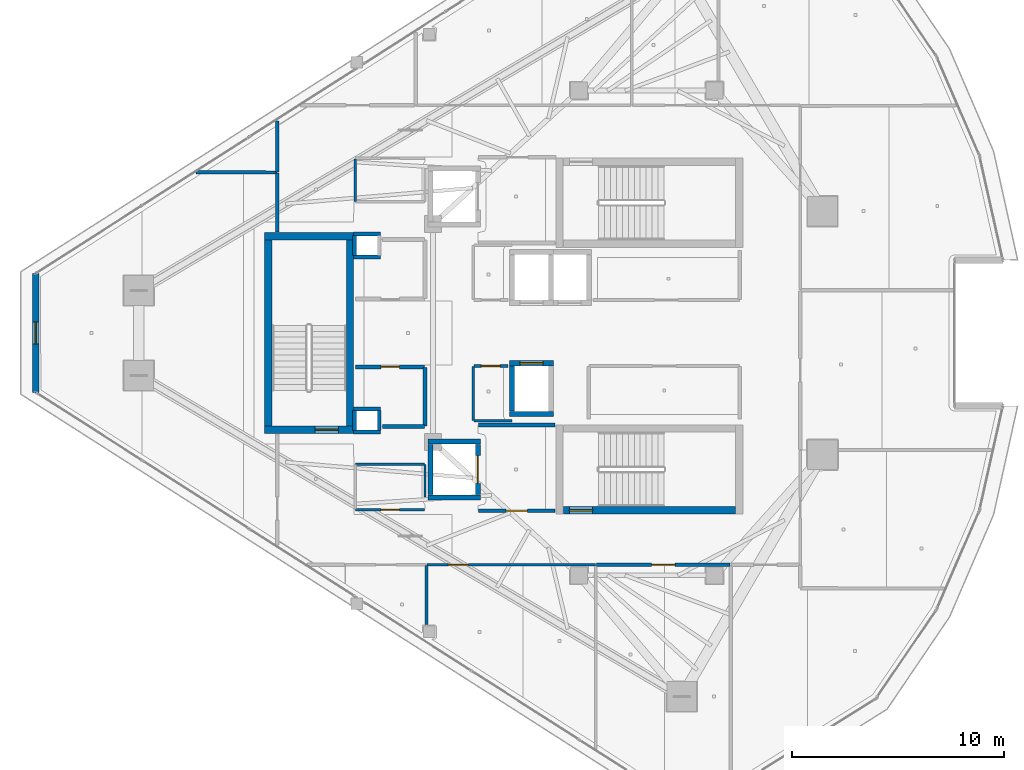
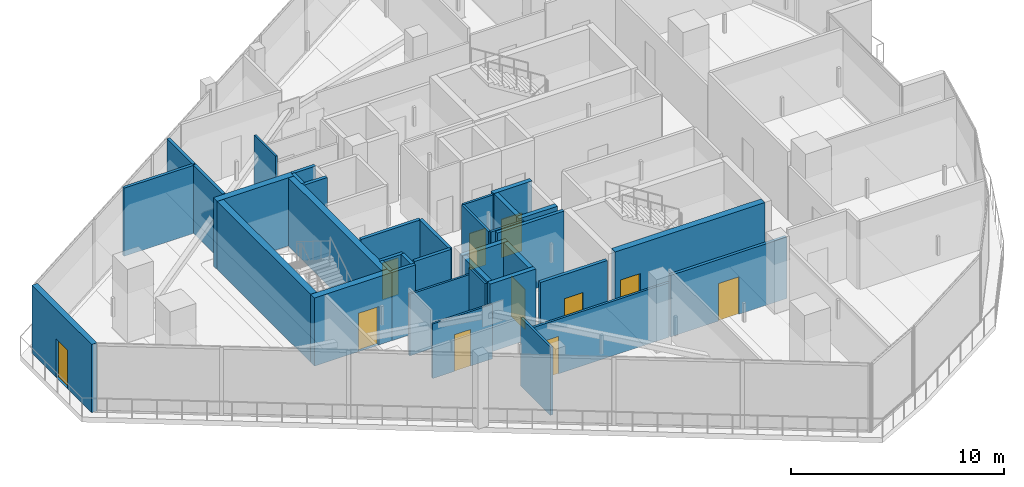
# One storey, part 21 of 30: 38 walls, 11 doors, 11 openings.
"""IFC4 building model written with IfcOpenShell, lengths in metres."""

from ifc_helpers import new_model, si_unit, direction, frame, frame_2d, origin, place, context, subcontext, project, spatial, rectangle, extrude, material, layer, layer_set, type_object, element, fill, save


model = new_model("IFC4")

# Units and contexts
model_context = context("Model", 3, precision=1e-05, world=origin(), true_north=direction((0.0, 1.0)))
body_context = subcontext(model_context, "Body", "Model", "MODEL_VIEW")
ifc_project = project(units=[si_unit("LENGTHUNIT", "METRE"), si_unit("AREAUNIT", "SQUARE_METRE"), si_unit("VOLUMEUNIT", "CUBIC_METRE"), si_unit("PLANEANGLEUNIT", "RADIAN"), si_unit("MASSUNIT", "GRAM", prefix="KILO")], contexts=[model_context])

# Site, building, storey
site_placement = place(None, origin())
site = spatial("IfcSite", under=ifc_project, at=site_placement, CompositionType="ELEMENT")
building_placement = place(site_placement, origin())
building = spatial("IfcBuilding", under=site, at=building_placement, Name="Qorvath Tower", CompositionType="ELEMENT")
storey_placement = place(building_placement, frame((0.0, 0.0, 301.800048828125)))
storey = spatial("IfcBuildingStorey", under=building, at=storey_placement, Name="L70", CompositionType="ELEMENT", Elevation=301.800048828125)

# Walls
ifc_material_1 = material(Name="Gypsum shaftliner on steel studs", Category="steel")
ifc_layer_1 = layer(ifc_material_1, 0.179931640625)
ifc_layer_set_1 = layer_set([ifc_layer_1], Name="FW-LOBBY")
wall_type_1 = type_object("IfcWallType", Name="FW-LOBBY", PredefinedType="PARTITIONING", material=ifc_layer_set_1)
for number, where, z_axis, x_axis, name in (
    (1, (-32.989990234375, 3.594970703125, 0.0), (0.0, 0.0, 1.0), (-1.0, 0.0, 0.0), "MEP Riser Shaft Enclosure Wall N-L70-S"),
    (2, (-34.260009765625, 4.675048828125, 0.0), (0.0, 0.0, 1.0), (1.0, 0.0, 0.0), "MEP Riser Shaft Enclosure Wall N-L70-N"),
):
    element("IfcWall", number, at=place(storey_placement, frame(where, z_axis=z_axis, x_axis=x_axis)), inside=storey, type_object=wall_type_1, Name=name, PredefinedType="PARTITIONING", context=body_context, shape_type="SweptSolid", body=[
        extrude(rectangle(XDim=1.27001953125, YDim=0.179931640625, at=frame_2d((0.635009765625, 0.0))), origin(), (0.0, 0.0, 1.0), 3.909912109375),
    ])
wall_1_placement = place(storey_placement, frame((-34.205078125, 3.659912109375, 0.0), z_axis=(0.0, 0.0, 1.0), x_axis=(0.0, 1.0, 0.0)))
element("IfcWall", 3, at=wall_1_placement, inside=storey, type_object=wall_type_1, Name="MEP Riser Shaft Enclosure Wall N-L70-W", PredefinedType="PARTITIONING", context=body_context, shape_type="SweptSolid", body=[
    extrude(rectangle(XDim=0.9501953125, YDim=0.179931640625, at=frame_2d((0.47509765625, 0.0))), origin(), (0.0, 0.0, 1.0), 3.909912109375),
])
for number, where, z_axis, x_axis, name in (
    (4, (-32.989990234375, -4.675048828125, 0.0), (0.0, 0.0, 1.0), (-1.0, 0.0, 0.0), "MEP Riser Shaft Enclosure Wall S-L70-S"),
    (5, (-34.260009765625, -3.594970703125, 0.0), (0.0, 0.0, 1.0), (1.0, 0.0, 0.0), "MEP Riser Shaft Enclosure Wall S-L70-N"),
):
    element("IfcWall", number, at=place(storey_placement, frame(where, z_axis=z_axis, x_axis=x_axis)), inside=storey, type_object=wall_type_1, Name=name, PredefinedType="PARTITIONING", context=body_context, shape_type="SweptSolid", body=[
        extrude(rectangle(XDim=1.27001953125, YDim=0.179931640625, at=frame_2d((0.635009765625, 0.0))), origin(), (0.0, 0.0, 1.0), 3.909912109375),
    ])
for number, where, z_axis, x_axis, name in (
    (6, (-34.205078125, -4.610107421875, 0.0), (0.0, 0.0, 1.0), (0.0, 1.0, 0.0), "MEP Riser Shaft Enclosure Wall S-L70-W"),
    (7, (-33.044921875, -3.659912109375, 0.0), (0.0, 0.0, 1.0), (0.0, -1.0, 0.0), "MEP Riser Shaft Enclosure Wall S-L70-E"),
):
    element("IfcWall", number, at=place(storey_placement, frame(where, z_axis=z_axis, x_axis=x_axis)), inside=storey, type_object=wall_type_1, Name=name, PredefinedType="PARTITIONING", context=body_context, shape_type="SweptSolid", body=[
        extrude(rectangle(XDim=0.9501953125, YDim=0.179931640625, at=frame_2d((0.47509765625, 0.0))), origin(), (0.0, 0.0, 1.0), 3.909912109375),
    ])

# Wall, opening, door
wall_2_placement = place(storey_placement, frame((-28.35498046875, -8.39990234375, 0.0), z_axis=(0.0, 0.0, 1.0), x_axis=(1.0, 0.0, 0.0)))
wall_2 = element("IfcWall", 8, at=wall_2_placement, inside=storey, type_object=wall_type_1, Name="Interior Partition IW-T1-L70-003", PredefinedType="PARTITIONING", context=body_context, shape_type="SweptSolid", body=[
    extrude(rectangle(XDim=3.6220703125, YDim=0.179931640625, at=frame_2d((1.81103515625, 0.0))), origin(), (0.0, 0.0, 1.0), 3.52880859375),
])
opening_1_placement = place(wall_2_placement, frame((1.31103515625, 0.0, 0.0)))
opening_1 = element("IfcOpeningElement", 9, at=opening_1_placement, cuts=wall_2, Name="Opening D-T1-L70-20", PredefinedType="OPENING", context=body_context, shape_type="SweptSolid", body=[
    extrude(rectangle(XDim=1.0, YDim=2.14990234375, at=frame_2d((0.5, 1.074951171875))), frame((0.0, 0.10009765625, 0.0), z_axis=(0.0, -1.0, 0.0), x_axis=(1.0, 0.0, 0.0)), (0.0, 0.0, 1.0), 0.199951171875),
])
ifc_material_2 = material(Name="Painted galvanised hollow metal", Category="steel")
door_type_1 = type_object("IfcDoorType", Name="FD-60", OperationType="NOTDEFINED", PredefinedType="DOOR", material=ifc_material_2)
door_1_placement = place(opening_1_placement, origin())
door_1 = element("IfcDoor", 10, at=door_1_placement, inside=storey, type_object=door_type_1, Name="Lobby Fire Service Elevator South Door D-T1-L70-20", OperationType="SINGLE_SWING_LEFT", OverallHeight=2.14990234375, OverallWidth=1.0, PredefinedType="DOOR", context=body_context, shape_type="SweptSolid", body=[
    extrude(rectangle(XDim=1.0, YDim=2.14990234375, at=frame_2d((0.5, 1.074951171875))), frame((0.0, 0.02490234375, 0.0), z_axis=(0.0, -1.0, 0.0), x_axis=(1.0, 0.0, 0.0)), (0.0, 0.0, 1.0), 0.050048828125),
])
fill(opening_1, door_1)

# Walls
wall_3_placement = place(storey_placement, frame((-24.73291015625, -4.35009765625, 0.0), z_axis=(0.0, 0.0, 1.0), x_axis=(-1.0, 0.0, 0.0)))
element("IfcWall", 11, at=wall_3_placement, inside=storey, type_object=wall_type_1, Name="Interior Partition IW-T1-L70-004", PredefinedType="PARTITIONING", context=body_context, shape_type="SweptSolid", body=[
    extrude(rectangle(XDim=3.6220703125, YDim=0.179931640625, at=frame_2d((1.81103515625, 0.0))), origin(), (0.0, 0.0, 1.0), 3.909912109375),
])
wall_4_placement = place(storey_placement, frame((-32.8798828125, -4.419921875, 0.0), z_axis=(0.0, 0.0, 1.0), x_axis=(1.0, 0.0, 0.0)))
element("IfcWall", 12, at=wall_4_placement, inside=storey, type_object=wall_type_1, Name="Interior Partition IW-T1-L70-027", PredefinedType="PARTITIONING", context=body_context, shape_type="SweptSolid", body=[
    extrude(rectangle(XDim=1.97509765625, YDim=0.179931640625, at=frame_2d((0.987548828125, 0.0))), origin(), (0.0, 0.0, 1.0), 3.909912109375),
])
wall_5_placement = place(storey_placement, frame((-30.8798828125, -4.39501953125, 0.0), z_axis=(0.0, 0.0, 1.0), x_axis=(0.0, 1.0, 0.0)))
element("IfcWall", 13, at=wall_5_placement, inside=storey, type_object=wall_type_1, Name="Interior Partition IW-T1-L70-028", PredefinedType="PARTITIONING", context=body_context, shape_type="SweptSolid", body=[
    extrude(rectangle(XDim=2.77001953125, YDim=0.179931640625, at=frame_2d((1.385009765625, 0.0))), origin(), (0.0, 0.0, 1.0), 3.909912109375),
])

# Wall, opening, door
wall_6_placement = place(storey_placement, frame((-30.90478515625, -1.60009765625, 0.0), z_axis=(0.0, 0.0, 1.0), x_axis=(-1.0, 0.0, 0.0)))
wall_6 = element("IfcWall", 14, at=wall_6_placement, inside=storey, type_object=wall_type_1, Name="Interior Partition IW-T1-L70-029", PredefinedType="PARTITIONING", context=body_context, shape_type="SweptSolid", body=[
    extrude(rectangle(XDim=3.25, YDim=0.179931640625, at=frame_2d((1.625, 0.0))), origin(), (0.0, 0.0, 1.0), 3.909912109375),
])
opening_2_placement = place(wall_6_placement, frame((1.18505859375, 0.0, 0.0)))
opening_2 = element("IfcOpeningElement", 15, at=opening_2_placement, cuts=wall_6, Name="Opening D-T1-L70-06", PredefinedType="OPENING", context=body_context, shape_type="SweptSolid", body=[
    extrude(rectangle(XDim=0.8798828125, YDim=2.10009765625, at=frame_2d((0.43994140625, 1.050048828125))), frame((0.0, 0.10009765625, 0.0), z_axis=(0.0, -1.0, 0.0), x_axis=(1.0, 0.0, 0.0)), (0.0, 0.0, 1.0), 0.199951171875),
])
ifc_material_3 = material(Name="Painted galvanised hollow metal", Category="steel")
door_type_2 = type_object("IfcDoorType", Name="FD-60N", OperationType="NOTDEFINED", PredefinedType="DOOR", material=ifc_material_3)
door_2_placement = place(opening_2_placement, origin())
door_2 = element("IfcDoor", 16, at=door_2_placement, inside=storey, type_object=door_type_2, Name="Core electrical closet L70 Door D-T1-L70-06", OperationType="SINGLE_SWING_LEFT", OverallHeight=2.10009765625, OverallWidth=0.8798828125, PredefinedType="DOOR", context=body_context, shape_type="SweptSolid", body=[
    extrude(rectangle(XDim=0.8798828125, YDim=2.10009765625, at=frame_2d((0.43994140625, 1.050048828125))), frame((0.0, 0.02490234375, 0.0), z_axis=(0.0, -1.0, 0.0), x_axis=(1.0, 0.0, 0.0)), (0.0, 0.0, 1.0), 0.050048828125),
])
fill(opening_2, door_2)

# Walls
ifc_material_4 = material(Name="Double acoustic gypsum board on steel studs", Category="steel")
ifc_layer_2 = layer(ifc_material_4, 0.159912109375)
ifc_layer_set_2 = layer_set([ifc_layer_2], Name="IW-ACOUSTIC-160")
wall_type_2 = type_object("IfcWallType", Name="IW-ACOUSTIC-160", PredefinedType="PARTITIONING", material=ifc_layer_set_2)
wall_7_placement = place(storey_placement, frame((-37.85791015625, 10.02734375, 0.0), z_axis=(0.0, 0.0, 1.0), x_axis=(0.0, -1.0, 0.0)))
element("IfcWall", 17, at=wall_7_placement, inside=storey, type_object=wall_type_2, Name="Interior Partition IW-T1-L70-030", PredefinedType="PARTITIONING", context=body_context, shape_type="SweptSolid", body=[
    extrude(rectangle(XDim=2.417236328125, YDim=0.159912109375, at=frame_2d((1.20849609375, 0.0))), origin(), (0.0, 0.0, 1.0), 3.909912109375),
])
wall_8_placement = place(storey_placement, frame((-41.7080078125, 7.59521484375, 0.0), z_axis=(0.0, 0.0, 1.0), x_axis=(0.9999965762, -0.002616789611, 0.0)))
element("IfcWall", 18, at=wall_8_placement, inside=storey, type_object=wall_type_2, Name="Interior Partition IW-T1-L70-033", PredefinedType="PARTITIONING", context=body_context, shape_type="SweptSolid", body=[
    extrude(rectangle(XDim=3.8251953125, YDim=0.159912109375, at=frame_2d((1.91259765625, 0.0))), origin(), (0.0, 0.0, 1.0), 3.909912109375),
])

# Wall, opening, door
wall_9_placement = place(storey_placement, frame((-16.458740234375, -10.9580078125, 0.0), z_axis=(0.0, 0.0, 1.0), x_axis=(-1.0, 0.0, 0.0)))
wall_9 = element("IfcWall", 19, at=wall_9_placement, inside=storey, type_object=wall_type_2, Name="Interior Partition IW-T1-L70-044", PredefinedType="PARTITIONING", context=body_context, shape_type="SweptSolid", body=[
    extrude(rectangle(XDim=6.31494140625, YDim=0.159912109375, at=frame_2d((3.157470703125, 0.0))), origin(), (0.0, 0.0, 1.0), 3.52880859375),
])
opening_3_placement = place(wall_9_placement, frame((2.607421875, 0.0, 0.0)))
opening_3 = element("IfcOpeningElement", 20, at=opening_3_placement, cuts=wall_9, Name="Opening D-T1-L70-13", PredefinedType="OPENING", context=body_context, shape_type="SweptSolid", body=[
    extrude(rectangle(XDim=1.10009765625, YDim=2.14990234375, at=frame_2d((0.550048828125, 1.074951171875))), frame((0.0, 0.08984375, 0.0), z_axis=(0.0, -1.0, 0.0), x_axis=(1.0, 0.0, 0.0)), (0.0, 0.0, 1.0), 0.179931640625),
])
ifc_material_5 = material(Name="Anodised aluminium acoustic framed glass", Category="aluminium")
door_type_3 = type_object("IfcDoorType", Name="D-03", OperationType="NOTDEFINED", PredefinedType="DOOR", material=ifc_material_5)
door_3_placement = place(opening_3_placement, origin())
door_3 = element("IfcDoor", 21, at=door_3_placement, inside=storey, type_object=door_type_3, Name="L70-07 Digital Visualization Suite Door D-T1-L70-13", OperationType="SINGLE_SWING_RIGHT", OverallHeight=2.14990234375, OverallWidth=1.10009765625, PredefinedType="DOOR", context=body_context, shape_type="SweptSolid", body=[
    extrude(rectangle(XDim=1.10009765625, YDim=2.14990234375, at=frame_2d((0.550048828125, 1.074951171875))), frame((0.0, 0.02490234375, 0.0), z_axis=(0.0, -1.0, 0.0), x_axis=(1.0, 0.0, 0.0)), (0.0, 0.0, 1.0), 0.050048828125),
])
fill(opening_3, door_3)

# Walls
wall_10_placement = place(storey_placement, frame((-37.85791015625, 4.783203125, 0.0), z_axis=(0.0, 0.0, 1.0), x_axis=(0.0, 1.0, 0.0)))
element("IfcWall", 22, at=wall_10_placement, inside=storey, type_object=wall_type_2, Name="Interior Partition IW-T1-L70-056", PredefinedType="PARTITIONING", context=body_context, shape_type="SweptSolid", body=[
    extrude(rectangle(XDim=2.768798828125, YDim=0.159912109375, at=frame_2d((1.38427734375, 0.0))), origin(), (0.0, 0.0, 1.0), 3.909912109375),
])
ifc_material_6 = material(Name="Gypsum board on metal studs with mineral wool", Category="gypsum")
ifc_layer_3 = layer(ifc_material_6, 0.125)
ifc_layer_set_3 = layer_set([ifc_layer_3], Name="IW-PART-125")
wall_type_3 = type_object("IfcWallType", Name="IW-PART-125", PredefinedType="PARTITIONING", material=ifc_layer_set_3)
wall_11_placement = place(storey_placement, frame((-28.60009765625, -1.585205078125, 0.0), z_axis=(0.0, 0.0, 1.0), x_axis=(0.0, -1.0, 0.0)))
element("IfcWall", 23, at=wall_11_placement, inside=storey, type_object=wall_type_3, Name="Interior Partition IW-T1-L70-021", PredefinedType="PARTITIONING", context=body_context, shape_type="SweptSolid", body=[
    extrude(rectangle(XDim=2.539794921875, YDim=0.125, at=frame_2d((1.27001953125, 0.0))), origin(), (0.0, 0.0, 1.0), 3.909912109375),
])
wall_12_placement = place(storey_placement, frame((-28.5751953125, -4.14990234375, 0.0), z_axis=(0.0, 0.0, 1.0), x_axis=(1.0, 0.0, 0.0)))
element("IfcWall", 24, at=wall_12_placement, inside=storey, type_object=wall_type_3, Name="Interior Partition IW-T1-L70-022", PredefinedType="PARTITIONING", context=body_context, shape_type="SweptSolid", body=[
    extrude(rectangle(XDim=1.80029296875, YDim=0.125, at=frame_2d((0.900146484375, 0.0))), origin(), (0.0, 0.0, 1.0), 3.909912109375),
])

# Wall, opening, door
wall_13_placement = place(storey_placement, frame((-26.966064453125, -1.56005859375, 0.0), z_axis=(0.0, 0.0, 1.0), x_axis=(-1.0, 0.0, 0.0)))
wall_13 = element("IfcWall", 25, at=wall_13_placement, inside=storey, type_object=wall_type_3, Name="Interior Partition IW-T1-L70-023", PredefinedType="PARTITIONING", context=body_context, shape_type="SweptSolid", body=[
    extrude(rectangle(XDim=1.609130859375, YDim=0.125, at=frame_2d((0.8046875, 0.0))), origin(), (0.0, 0.0, 1.0), 3.909912109375),
])
opening_4_placement = place(wall_13_placement, frame((0.364501953125, 0.0, 0.0)))
opening_4 = element("IfcOpeningElement", 26, at=opening_4_placement, cuts=wall_13, Name="Opening D-T1-L70-04", PredefinedType="OPENING", context=body_context, shape_type="SweptSolid", body=[
    extrude(rectangle(XDim=0.8798828125, YDim=2.10009765625, at=frame_2d((0.43994140625, 1.050048828125))), frame((0.0, 0.072509765625, 0.0), z_axis=(0.0, -1.0, 0.0), x_axis=(1.0, 0.0, 0.0)), (0.0, 0.0, 1.0), 0.14501953125),
])
ifc_material_7 = material(Name="Solid-core oak with acoustic drop seal", Category="wood")
door_type_4 = type_object("IfcDoorType", Name="D-02", OperationType="NOTDEFINED", PredefinedType="DOOR", material=ifc_material_7)
door_4_placement = place(opening_4_placement, origin())
door_4 = element("IfcDoor", 27, at=door_4_placement, inside=storey, type_object=door_type_4, Name="L70-RCWS Executive Archive Suite Door D-T1-L70-04", OperationType="SINGLE_SWING_LEFT", OverallHeight=2.10009765625, OverallWidth=0.8798828125, PredefinedType="DOOR", context=body_context, shape_type="SweptSolid", body=[
    extrude(rectangle(XDim=0.8798828125, YDim=2.10009765625, at=frame_2d((0.43994140625, 1.050048828125))), frame((0.0, 0.02490234375, 0.0), z_axis=(0.0, -1.0, 0.0), x_axis=(1.0, 0.0, 0.0)), (0.0, 0.0, 1.0), 0.050048828125),
])
fill(opening_4, door_4)

# Wall
wall_14_placement = place(storey_placement, frame((-30.80908203125, -13.7841796875, 0.0), z_axis=(0.0, 0.0, 1.0), x_axis=(0.0, 1.0, 0.0)))
element("IfcWall", 28, at=wall_14_placement, inside=storey, type_object=wall_type_3, Name="Interior Partition IW-T1-L70-040", PredefinedType="PARTITIONING", context=body_context, shape_type="SweptSolid", body=[
    extrude(rectangle(XDim=2.80126953125, YDim=0.125, at=frame_2d((1.400634765625, 0.0))), origin(), (0.0, 0.0, 1.0), 3.909912109375),
])

# Wall, opening, door
wall_15_placement = place(storey_placement, frame((-22.831787109375, -10.9580078125, 0.0), z_axis=(0.0, 0.0, 1.0), x_axis=(-1.0, 0.0, 0.0)))
wall_15 = element("IfcWall", 29, at=wall_15_placement, inside=storey, type_object=wall_type_3, Name="Interior Partition IW-T1-L70-042", PredefinedType="PARTITIONING", context=body_context, shape_type="SweptSolid", body=[
    extrude(rectangle(XDim=7.944091796875, YDim=0.125, at=frame_2d((3.97216796875, 0.0))), origin(), (0.0, 0.0, 1.0), 3.1298828125),
])
opening_5_placement = place(wall_15_placement, frame((5.994873046875, 0.0, 0.0)))
opening_5 = element("IfcOpeningElement", 30, at=opening_5_placement, cuts=wall_15, Name="Opening D-T1-L70-12", PredefinedType="OPENING", context=body_context, shape_type="SweptSolid", body=[
    extrude(rectangle(XDim=0.949951171875, YDim=2.14990234375, at=frame_2d((0.47509765625, 1.074951171875))), frame((0.0, 0.072509765625, 0.0), z_axis=(0.0, -1.0, 0.0), x_axis=(1.0, 0.0, 0.0)), (0.0, 0.0, 1.0), 0.14501953125),
])
ifc_material_8 = material(Name="Solid-core American white oak veneer", Category="wood")
door_type_5 = type_object("IfcDoorType", Name="D-01", OperationType="NOTDEFINED", PredefinedType="DOOR", material=ifc_material_8)
door_5_placement = place(opening_5_placement, origin())
door_5 = element("IfcDoor", 31, at=door_5_placement, inside=storey, type_object=door_type_5, Name="L70-06 Executive Partner Office Door D-T1-L70-12", OperationType="SINGLE_SWING_LEFT", OverallHeight=2.14990234375, OverallWidth=0.949951171875, PredefinedType="DOOR", context=body_context, shape_type="SweptSolid", body=[
    extrude(rectangle(XDim=0.949951171875, YDim=2.14990234375, at=frame_2d((0.47509765625, 1.074951171875))), frame((0.0, 0.02490234375, 0.0), z_axis=(0.0, -1.0, 0.0), x_axis=(1.0, 0.0, 0.0)), (0.0, 0.0, 1.0), 0.050048828125),
])
fill(opening_5, door_5)

# Wall
ifc_material_9 = material(Name="Moisture-resistant cement board on metal studs", Category="gypsum")
ifc_layer_4 = layer(ifc_material_9, 0.110107421875)
ifc_layer_set_4 = layer_set([ifc_layer_4], Name="IW-WC-110")
wall_type_4 = type_object("IfcWallType", Name="IW-WC-110", PredefinedType="PARTITIONING", material=ifc_layer_set_4)
wall_16_placement = place(storey_placement, frame((-34.179931640625, 8.22509765625, 0.0), z_axis=(0.0, 0.0, 1.0), x_axis=(0.0, -1.0, 0.0)))
element("IfcWall", 32, at=wall_16_placement, inside=storey, type_object=wall_type_4, Name="Interior Partition IW-T1-L70-005", PredefinedType="PARTITIONING", context=body_context, shape_type="SweptSolid", body=[
    extrude(rectangle(XDim=2.0, YDim=0.110107421875, at=frame_2d((1.0, 0.0))), origin(), (0.0, 0.0, 1.0), 3.909912109375),
])

# Wall, opening, door
wall_17_placement = place(storey_placement, frame((-34.15478515625, -8.35009765625, 0.0), z_axis=(0.0, 0.0, 1.0), x_axis=(1.0, 0.0, 0.0)))
wall_17 = element("IfcWall", 33, at=wall_17_placement, inside=storey, type_object=wall_type_4, Name="Interior Partition IW-T1-L70-010", PredefinedType="PARTITIONING", context=body_context, shape_type="SweptSolid", body=[
    extrude(rectangle(XDim=3.25, YDim=0.110107421875, at=frame_2d((1.625, 0.0))), origin(), (0.0, 0.0, 1.0), 3.1298828125),
])
opening_6_placement = place(wall_17_placement, frame((1.18505859375, 0.0, 0.0)))
opening_6 = element("IfcOpeningElement", 34, at=opening_6_placement, cuts=wall_17, Name="Opening D-T1-L70-22", PredefinedType="OPENING", context=body_context, shape_type="SweptSolid", body=[
    extrude(rectangle(XDim=0.8798828125, YDim=2.10009765625, at=frame_2d((0.43994140625, 1.050048828125))), frame((0.0, 0.06494140625, 0.0), z_axis=(0.0, -1.0, 0.0), x_axis=(1.0, 0.0, 0.0)), (0.0, 0.0, 1.0), 0.130126953125),
])
door_6_placement = place(opening_6_placement, origin())
door_6 = element("IfcDoor", 35, at=door_6_placement, inside=storey, type_object=door_type_4, Name="Accessible WC South L70 Door D-T1-L70-22", OperationType="SINGLE_SWING_LEFT", OverallHeight=2.10009765625, OverallWidth=0.8798828125, PredefinedType="DOOR", context=body_context, shape_type="SweptSolid", body=[
    extrude(rectangle(XDim=0.8798828125, YDim=2.10009765625, at=frame_2d((0.43994140625, 1.050048828125))), frame((0.0, 0.02490234375, 0.0), z_axis=(0.0, -1.0, 0.0), x_axis=(1.0, 0.0, 0.0)), (0.0, 0.0, 1.0), 0.050048828125),
])
fill(opening_6, door_6)

# Walls
wall_18_placement = place(storey_placement, frame((-30.8798828125, -7.742919921875, 0.0), z_axis=(0.0, 0.0, 1.0), x_axis=(0.0, 1.0, 0.0)))
element("IfcWall", 36, at=wall_18_placement, inside=storey, type_object=wall_type_4, Name="Interior Partition IW-T1-L70-011", PredefinedType="PARTITIONING", context=body_context, shape_type="SweptSolid", body=[
    extrude(rectangle(XDim=1.517822265625, YDim=0.110107421875, at=frame_2d((0.7587890625, 0.0))), origin(), (0.0, 0.0, 1.0), 3.909912109375),
])
wall_19_placement = place(storey_placement, frame((-30.90478515625, -6.199951171875, 0.0), z_axis=(0.0, 0.0, 1.0), x_axis=(-1.0, 0.0, 0.0)))
element("IfcWall", 37, at=wall_19_placement, inside=storey, type_object=wall_type_4, Name="Interior Partition IW-T1-L70-012", PredefinedType="PARTITIONING", context=body_context, shape_type="SweptSolid", body=[
    extrude(rectangle(XDim=3.25, YDim=0.110107421875, at=frame_2d((1.625, 0.0))), origin(), (0.0, 0.0, 1.0), 3.52880859375),
])
ifc_material_10 = material(Name="Concrete C60/75", Category="concrete")
ifc_layer_5 = layer(ifc_material_10, 0.260009765625)
ifc_layer_set_5 = layer_set([ifc_layer_5], Name="SW-SHAFT")
wall_type_5 = type_object("IfcWallType", Name="SW-SHAFT", PredefinedType="SHEAR", material=ifc_layer_set_5)
for number, where, z_axis, x_axis, name in (
    (38, (-28.260009765625, -7.77001953125, 0.0), (0.0, 0.0, 1.0), (-1.0, 0.0, 0.0), "Hoistway Wall FSAE-2 L70 S"),
    (39, (-30.739990234375, -5.1298828125, 0.0), (0.0, 0.0, 1.0), (1.0, 0.0, 0.0), "Hoistway Wall FSAE-2 L70 N"),
):
    element("IfcWall", number, at=place(storey_placement, frame(where, z_axis=z_axis, x_axis=x_axis)), inside=storey, type_object=wall_type_5, Name=name, PredefinedType="SHEAR", context=body_context, shape_type="SweptSolid", body=[
        extrude(rectangle(XDim=2.47998046875, YDim=0.239990234375, at=frame_2d((1.239990234375, 0.0))), origin(), (0.0, 0.0, 1.0), 3.909912109375),
    ])
wall_20_placement = place(storey_placement, frame((-30.6201171875, -7.637939453125, 0.0), z_axis=(0.0, 0.0, 1.0), x_axis=(0.0, 1.0, 0.0)))
element("IfcWall", 40, at=wall_20_placement, inside=storey, type_object=wall_type_5, Name="Hoistway Wall FSAE-2 L70 W", PredefinedType="SHEAR", context=body_context, shape_type="SweptSolid", body=[
    extrude(rectangle(XDim=2.3759765625, YDim=0.239990234375, at=frame_2d((1.18798828125, 0.0))), origin(), (0.0, 0.0, 1.0), 3.909912109375),
])

# Wall, opening, door
wall_21_placement = place(storey_placement, frame((-28.3798828125, -5.261962890625, 0.0), z_axis=(0.0, 0.0, 1.0), x_axis=(0.0, -1.0, 0.0)))
wall_21 = element("IfcWall", 41, at=wall_21_placement, inside=storey, type_object=wall_type_5, Name="Hoistway Wall FSAE-2 L70 E", PredefinedType="SHEAR", context=body_context, shape_type="SweptSolid", body=[
    extrude(rectangle(XDim=2.3759765625, YDim=0.239990234375, at=frame_2d((1.18798828125, 0.0))), origin(), (0.0, 0.0, 1.0), 3.909912109375),
])
opening_7_placement = place(wall_21_placement, frame((0.5380859375, 0.0, 0.0)))
opening_7 = element("IfcOpeningElement", 42, at=opening_7_placement, cuts=wall_21, Name="Opening LD-FSAE-2-L70", PredefinedType="OPENING", context=body_context, shape_type="SweptSolid", body=[
    extrude(rectangle(XDim=1.300048828125, YDim=2.300048828125, at=frame_2d((0.64990234375, 1.14990234375))), frame((0.0, 0.1298828125, 0.0), z_axis=(0.0, -1.0, 0.0), x_axis=(1.0, 0.0, 0.0)), (0.0, 0.0, 1.0), 0.260009765625),
])
ifc_material_11 = material(Name="Brushed stainless steel AISI 316", Category="steel")
door_type_6 = type_object("IfcDoorType", Name="LD-02", OperationType="NOTDEFINED", PredefinedType="DOOR", material=ifc_material_11)
door_7_placement = place(opening_7_placement, origin())
door_7 = element("IfcDoor", 43, at=door_7_placement, inside=storey, type_object=door_type_6, Name="Elevator Landing Sliding Door LD-FSAE-2-L70", OperationType="DOUBLE_DOOR_SLIDING", OverallHeight=2.300048828125, OverallWidth=1.300048828125, PredefinedType="DOOR", context=body_context, shape_type="SweptSolid", body=[
    extrude(rectangle(XDim=1.300048828125, YDim=2.300048828125, at=frame_2d((0.64990234375, 1.14990234375))), frame((0.0, 0.02490234375, 0.0), z_axis=(0.0, -1.0, 0.0), x_axis=(1.0, 0.0, 0.0)), (0.0, 0.0, 1.0), 0.050048828125),
])
fill(opening_7, door_7)

# Wall
wall_22_placement = place(storey_placement, frame((-24.81005859375, -3.820068359375, 0.0), z_axis=(0.0, 0.0, 1.0), x_axis=(-1.0, 0.0, 0.0)))
element("IfcWall", 44, at=wall_22_placement, inside=storey, type_object=wall_type_5, Name="Hoistway Wall PH-3 L70 S", PredefinedType="SHEAR", context=body_context, shape_type="SweptSolid", body=[
    extrude(rectangle(XDim=2.079833984375, YDim=0.239990234375, at=frame_2d((1.0400390625, 0.0))), origin(), (0.0, 0.0, 1.0), 3.909912109375),
])

# Wall, opening, door
wall_23_placement = place(storey_placement, frame((-26.889892578125, -1.429931640625, 0.0), z_axis=(0.0, 0.0, 1.0), x_axis=(1.0, 0.0, 0.0)))
wall_23 = element("IfcWall", 45, at=wall_23_placement, inside=storey, type_object=wall_type_5, Name="Hoistway Wall PH-3 L70 N", PredefinedType="SHEAR", context=body_context, shape_type="SweptSolid", body=[
    extrude(rectangle(XDim=2.079833984375, YDim=0.239990234375, at=frame_2d((1.0400390625, 0.0))), origin(), (0.0, 0.0, 1.0), 3.909912109375),
])
opening_8_placement = place(wall_23_placement, frame((0.48974609375, 0.0, 0.0)))
opening_8 = element("IfcOpeningElement", 46, at=opening_8_placement, cuts=wall_23, Name="Opening LD-PH-3-L70", PredefinedType="OPENING", context=body_context, shape_type="SweptSolid", body=[
    extrude(rectangle(XDim=1.10009765625, YDim=2.199951171875, at=frame_2d((0.550048828125, 1.10009765625))), frame((0.0, 0.1298828125, 0.0), z_axis=(0.0, -1.0, 0.0), x_axis=(1.0, 0.0, 0.0)), (0.0, 0.0, 1.0), 0.260009765625),
])
ifc_material_12 = material(Name="Brushed stainless steel AISI 316", Category="steel")
door_type_7 = type_object("IfcDoorType", Name="LD-01", OperationType="NOTDEFINED", PredefinedType="DOOR", material=ifc_material_12)
door_8_placement = place(opening_8_placement, origin())
door_8 = element("IfcDoor", 47, at=door_8_placement, inside=storey, type_object=door_type_7, Name="Elevator Landing Sliding Door LD-PH-3-L70", OperationType="DOUBLE_DOOR_SLIDING", OverallHeight=2.199951171875, OverallWidth=1.10009765625, PredefinedType="DOOR", context=body_context, shape_type="SweptSolid", body=[
    extrude(rectangle(XDim=1.10009765625, YDim=2.199951171875, at=frame_2d((0.550048828125, 1.10009765625))), frame((0.0, 0.02490234375, 0.0), z_axis=(0.0, -1.0, 0.0), x_axis=(1.0, 0.0, 0.0)), (0.0, 0.0, 1.0), 0.050048828125),
])
fill(opening_8, door_8)

# Wall
wall_24_placement = place(storey_placement, frame((-26.77001953125, -3.68798828125, 0.0), z_axis=(0.0, 0.0, 1.0), x_axis=(0.0, 1.0, 0.0)))
element("IfcWall", 48, at=wall_24_placement, inside=storey, type_object=wall_type_5, Name="Hoistway Wall PH-3 L70 W", PredefinedType="SHEAR", context=body_context, shape_type="SweptSolid", body=[
    extrude(rectangle(XDim=2.1259765625, YDim=0.239990234375, at=frame_2d((1.06298828125, 0.0))), origin(), (0.0, 0.0, 1.0), 3.909912109375),
])

# Wall, opening, door
ifc_material_13 = material(Name="Concrete C60/75", Category="concrete")
ifc_layer_6 = layer(ifc_material_13, 0.35009765625)
ifc_layer_set_6 = layer_set([ifc_layer_6], Name="SW-STAIR")
wall_type_6 = type_object("IfcWallType", Name="SW-STAIR", PredefinedType="SHEAR", material=ifc_layer_set_6)
wall_25_placement = place(storey_placement, frame((-24.3349609375, -8.375, 0.0), z_axis=(0.0, 0.0, 1.0), x_axis=(1.0, 0.0, 0.0)))
wall_25 = element("IfcWall", 49, at=wall_25_placement, inside=storey, type_object=wall_type_6, Name="Stair TS2 Shear Wall L70 LEFT", PredefinedType="SHEAR", context=body_context, shape_type="SweptSolid", body=[
    extrude(rectangle(XDim=8.119873046875, YDim=0.35009765625, at=frame_2d((4.06005859375, 0.0))), origin(), (0.0, 0.0, 1.0), 3.909912109375),
])
opening_9_placement = place(wall_25_placement, frame((0.280029296875, 0.0, 0.0)))
opening_9 = element("IfcOpeningElement", 50, at=opening_9_placement, cuts=wall_25, Name="Opening D-TS2-L70", PredefinedType="OPENING", context=body_context, shape_type="SweptSolid", body=[
    extrude(rectangle(XDim=1.10009765625, YDim=2.199951171875, at=frame_2d((0.550048828125, 1.10009765625))), frame((0.0, 0.18505859375, 0.0), z_axis=(0.0, -1.0, 0.0), x_axis=(1.0, 0.0, 0.0)), (0.0, 0.0, 1.0), 0.3701171875),
])
ifc_material_14 = material(Name="Painted galvanised hollow metal", Category="steel")
door_type_8 = type_object("IfcDoorType", Name="FD-90", OperationType="NOTDEFINED", PredefinedType="DOOR", material=ifc_material_14)
door_9_placement = place(opening_9_placement, origin())
door_9 = element("IfcDoor", 51, at=door_9_placement, inside=storey, type_object=door_type_8, Name="Stair TS2 Fire Door L70", OperationType="SINGLE_SWING_LEFT", OverallHeight=2.199951171875, OverallWidth=1.10009765625, PredefinedType="DOOR", context=body_context, shape_type="SweptSolid", body=[
    extrude(rectangle(XDim=1.10009765625, YDim=2.199951171875, at=frame_2d((0.550048828125, 1.10009765625))), frame((0.0, 0.02490234375, 0.0), z_axis=(0.0, -1.0, 0.0), x_axis=(1.0, 0.0, 0.0)), (0.0, 0.0, 1.0), 0.050048828125),
])
fill(opening_9, door_9)

wall_26_placement = place(storey_placement, frame((-38.4599609375, -4.574951171875, 0.0), z_axis=(0.0, 0.0, 1.0), x_axis=(1.0, 0.0, 0.0)))
wall_26 = element("IfcWall", 52, at=wall_26_placement, inside=storey, type_object=wall_type_6, Name="Stair TS3 Shear Wall L70 NEAR", PredefinedType="SHEAR", context=body_context, shape_type="SweptSolid", body=[
    extrude(rectangle(XDim=4.2099609375, YDim=0.35009765625, at=frame_2d((2.10498046875, 0.0))), origin(), (0.0, 0.0, 1.0), 3.909912109375),
])
opening_10_placement = place(wall_26_placement, frame((2.389892578125, 0.0, 0.0)))
opening_10 = element("IfcOpeningElement", 53, at=opening_10_placement, cuts=wall_26, Name="Opening D-TS3-L70", PredefinedType="OPENING", context=body_context, shape_type="SweptSolid", body=[
    extrude(rectangle(XDim=1.10009765625, YDim=2.199951171875, at=frame_2d((0.550048828125, 1.10009765625))), frame((0.0, 0.18505859375, 0.0), z_axis=(0.0, -1.0, 0.0), x_axis=(1.0, 0.0, 0.0)), (0.0, 0.0, 1.0), 0.3701171875),
])
door_10_placement = place(opening_10_placement, origin())
door_10 = element("IfcDoor", 54, at=door_10_placement, inside=storey, type_object=door_type_8, Name="Stair TS3 Fire Door L70", OperationType="SINGLE_SWING_LEFT", OverallHeight=2.199951171875, OverallWidth=1.10009765625, PredefinedType="DOOR", context=body_context, shape_type="SweptSolid", body=[
    extrude(rectangle(XDim=1.10009765625, YDim=2.199951171875, at=frame_2d((0.550048828125, 1.10009765625))), frame((0.0, 0.02490234375, 0.0), z_axis=(0.0, -1.0, 0.0), x_axis=(1.0, 0.0, 0.0)), (0.0, 0.0, 1.0), 0.050048828125),
])
fill(opening_10, door_10)

# Walls
wall_27_placement = place(storey_placement, frame((-34.25, 4.574951171875, 0.0), z_axis=(0.0, 0.0, 1.0), x_axis=(-1.0, 0.0, 0.0)))
element("IfcWall", 55, at=wall_27_placement, inside=storey, type_object=wall_type_6, Name="Stair TS3 Shear Wall L70 FAR", PredefinedType="SHEAR", context=body_context, shape_type="SweptSolid", body=[
    extrude(rectangle(XDim=4.2099609375, YDim=0.35009765625, at=frame_2d((2.10498046875, 0.0))), origin(), (0.0, 0.0, 1.0), 3.909912109375),
])
for number, where, z_axis, x_axis, name in (
    (56, (-34.425048828125, -4.385009765625, 0.0), (0.0, 0.0, 1.0), (0.0, 1.0, 0.0), "Stair TS3 Shear Wall L70 LEFT"),
    (57, (-38.284912109375, 4.385009765625, 0.0), (0.0, 0.0, 1.0), (0.0, -1.0, 0.0), "Stair TS3 Shear Wall L70 RIGHT"),
):
    element("IfcWall", number, at=place(storey_placement, frame(where, z_axis=z_axis, x_axis=x_axis)), inside=storey, type_object=wall_type_6, Name=name, PredefinedType="SHEAR", context=body_context, shape_type="SweptSolid", body=[
        extrude(rectangle(XDim=8.77001953125, YDim=0.35009765625, at=frame_2d((4.385009765625, 0.0))), origin(), (0.0, 0.0, 1.0), 3.909912109375),
    ])

# Wall, opening, door
ifc_material_15 = material(Name="Precast concrete C45/55", Category="concrete")
ifc_layer_7 = layer(ifc_material_15, 0.300048828125)
ifc_layer_set_7 = layer_set([ifc_layer_7], Name="WL-EW-LOG-300")
wall_type_7 = type_object("IfcWallType", Name="WL-EW-LOG-300", PredefinedType="SOLIDWALL", material=ifc_layer_set_7)
wall_28_placement = place(storey_placement, frame((-49.276611328125, -2.809326171875, 0.0), z_axis=(0.0, 0.0, 1.0), x_axis=(0.0, 1.0, 0.0)))
wall_28 = element("IfcWall", 58, at=wall_28_placement, inside=storey, type_object=wall_type_7, Name="Tower Precast Loggia Wall L70-1.1", PredefinedType="SOLIDWALL", context=body_context, shape_type="SweptSolid", body=[
    extrude(rectangle(XDim=5.61865234375, YDim=0.300048828125, at=frame_2d((2.809326171875, 0.0))), origin(), (0.0, 0.0, 1.0), 3.909912109375),
])
opening_11_placement = place(wall_28_placement, frame((2.2841796875, 0.0, 0.0)))
opening_11 = element("IfcOpeningElement", 59, at=opening_11_placement, cuts=wall_28, Name="Opening ED-L70-01", PredefinedType="OPENING", context=body_context, shape_type="SweptSolid", body=[
    extrude(rectangle(XDim=1.050048828125, YDim=2.199951171875, at=frame_2d((0.52490234375, 1.10009765625))), frame((0.0, 0.16015625, 0.0), z_axis=(0.0, -1.0, 0.0), x_axis=(1.0, 0.0, 0.0)), (0.0, 0.0, 1.0), 0.320068359375),
])
ifc_material_16 = material(Name="Thermally broken aluminium glazed door", Category="aluminium")
door_type_9 = type_object("IfcDoorType", Name="ED-LOG", OperationType="NOTDEFINED", PredefinedType="DOOR", material=ifc_material_16)
door_11_placement = place(opening_11_placement, origin())
door_11 = element("IfcDoor", 60, at=door_11_placement, inside=storey, type_object=door_type_9, Name="L70 Recessed Loggia Access Door 1", OperationType="SINGLE_SWING_RIGHT", OverallHeight=2.199951171875, OverallWidth=1.050048828125, PredefinedType="DOOR", context=body_context, shape_type="SweptSolid", body=[
    extrude(rectangle(XDim=1.050048828125, YDim=2.199951171875, at=frame_2d((0.52490234375, 1.10009765625))), frame((0.0, 0.02490234375, 0.0), z_axis=(0.0, -1.0, 0.0), x_axis=(1.0, 0.0, 0.0)), (0.0, 0.0, 1.0), 0.050048828125),
])
fill(opening_11, door_11)

save(model, "model.ifc")
